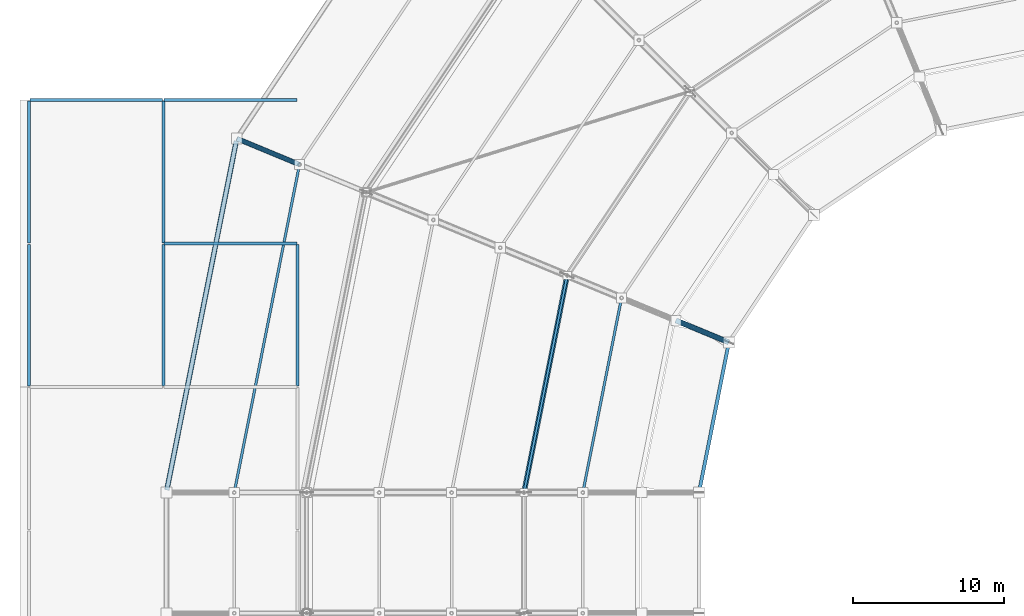
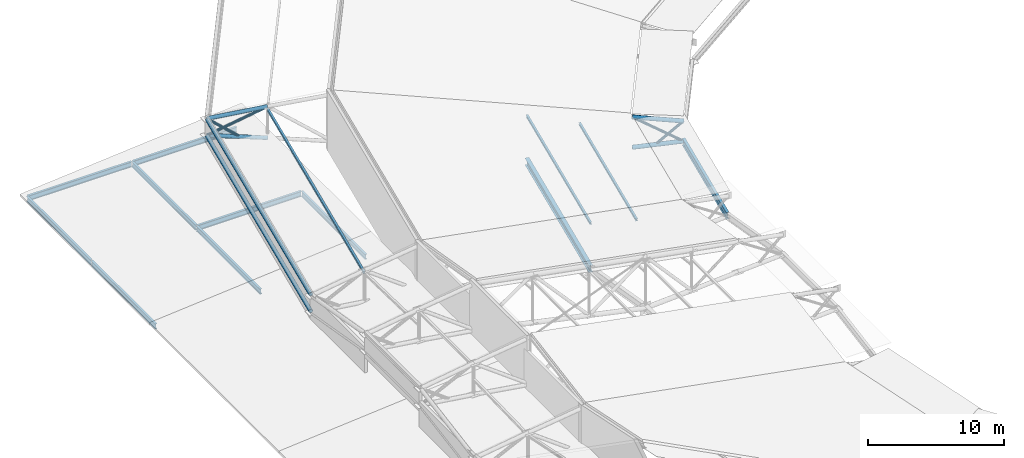
# One storey, part 43 of 146: 13 members, 10 beams.
"""IFC4 building model written with IfcOpenShell, lengths in metres."""

from ifc_helpers import new_model, si_unit, direction, frame, origin, origin_2d, place, context, subcontext, project, spatial, hollow_circle, i_section, extrude, material, material_profile, profile_set, type_object, element, save


model = new_model("IFC4")

# Units and contexts
model_context = context("Model", 3, precision=1e-05, world=origin(), true_north=direction((0.0, 1.0)))
body_context = subcontext(model_context, "Body", "Model", "MODEL_VIEW")
ifc_project = project(units=[si_unit("LENGTHUNIT", "METRE"), si_unit("AREAUNIT", "SQUARE_METRE"), si_unit("VOLUMEUNIT", "CUBIC_METRE"), si_unit("PLANEANGLEUNIT", "RADIAN"), si_unit("MASSUNIT", "GRAM", prefix="KILO")], contexts=[model_context])

# Site, building, storey
site_placement = place(None, origin())
site = spatial("IfcSite", under=ifc_project, at=site_placement, CompositionType="ELEMENT")
building_placement = place(site_placement, origin())
building = spatial("IfcBuilding", under=site, at=building_placement, Name="Candeia Ridge Stadium", CompositionType="ELEMENT")
storey_placement = place(building_placement, frame((0.0, 0.0, 31.800048828125)))
storey = spatial("IfcBuildingStorey", under=building, at=storey_placement, Name="RF", CompositionType="ELEMENT", Elevation=31.800048828125)

# Beams
ifc_material = material(Name="Steel ASTM A572 Grade 50", Category="steel")
ifc_material_profile_1 = material_profile(ifc_material, i_section(OverallWidth=0.194091796875, OverallDepth=0.468994140625, WebThickness=0.0126953125, FlangeThickness=0.0205078125, FilletRadius=0.012939453125, at=origin_2d()), Name="W460x106", Category="steel")
ifc_profile_set_1 = profile_set([ifc_material_profile_1], Name="Steel ASTM A572 Grade 50")
beam_type_1 = type_object("IfcBeamType", Name="Gondola Primary Girder W460x106", PredefinedType="BEAM", material=ifc_profile_set_1)
for number, where, z_axis, x_axis, name in (
    (1, (0.64990234375, 121.0, -0.58447265625), (1.0, 0.0, 0.0), (0.0, 1.0, 0.0), "Structural girder BM-RF-1443"),
    (2, (9.550048828125, 111.5, -0.58447265625), (1.0, 0.0, 0.0), (0.0, 1.0, 0.0), "Structural girder BM-RF-1450"),
    (3, (9.550048828125, 121.0, -0.58447265625), (1.0, 0.0, 0.0), (0.0, 1.0, 0.0), "Structural girder BM-RF-1451"),
):
    element("IfcBeam", number, at=place(storey_placement, frame(where, z_axis=z_axis, x_axis=x_axis)), inside=storey, type_object=beam_type_1, Name=name, PredefinedType="BEAM", context=body_context, shape_type="SweptSolid", body=[
        extrude(i_section(OverallWidth=0.194091796875, OverallDepth=0.468994140625, WebThickness=0.0126953125, FlangeThickness=0.0205078125, FilletRadius=0.012939453125, at=origin_2d()), origin(), (0.0, 0.0, 1.0), 8.800048828125),
    ])
ifc_material_profile_2 = material_profile(ifc_material, i_section(OverallWidth=0.18994140625, OverallDepth=0.45703125, WebThickness=0.009033203125, FlangeThickness=0.014404296875, FilletRadius=0.012939453125, at=origin_2d()), Name="W460x74", Category="steel")
ifc_profile_set_2 = profile_set([ifc_material_profile_2], Name="Steel ASTM A572 Grade 50")
beam_type_2 = type_object("IfcBeamType", Name="Pavilion Steel Girder W460x74", PredefinedType="BEAM", material=ifc_profile_set_2)
for number, where, z_axis, x_axis, name in (
    (4, (0.60009765625, 102.050048828125, -0.57861328125), (0.0, 1.0, 0.0), (-1.0, 0.0, 0.0), "Structural girder BM-RF-1425"),
    (5, (0.60009765625, 111.550048828125, -0.57861328125), (0.0, 1.0, 0.0), (-1.0, 0.0, 0.0), "Structural girder BM-RF-1426"),
    (6, (9.5, 102.050048828125, -0.57861328125), (0.0, 1.0, 0.0), (-1.0, 0.0, 0.0), "Structural girder BM-RF-1431"),
    (7, (9.5, 111.550048828125, -0.57861328125), (0.0, 1.0, 0.0), (-1.0, 0.0, 0.0), "Structural girder BM-RF-1432"),
    (8, (18.39990234375, 102.050048828125, -0.57861328125), (0.0, 1.0, 0.0), (-1.0, 0.0, 0.0), "Structural girder BM-RF-1438"),
):
    element("IfcBeam", number, at=place(storey_placement, frame(where, z_axis=z_axis, x_axis=x_axis)), inside=storey, type_object=beam_type_2, Name=name, PredefinedType="BEAM", context=body_context, shape_type="SweptSolid", body=[
        extrude(i_section(OverallWidth=0.18994140625, OverallDepth=0.45703125, WebThickness=0.009033203125, FlangeThickness=0.014404296875, FilletRadius=0.012939453125, at=origin_2d()), origin(), (0.0, 0.0, 1.0), 9.39990234375),
    ])
ifc_material_profile_3 = material_profile(ifc_material, i_section(OverallWidth=0.324951171875, OverallDepth=0.615966796875, WebThickness=0.013916015625, FlangeThickness=0.021484375, FilletRadius=0.014892578125, at=origin_2d()), Name="W610x174", Category="steel")
ifc_profile_set_3 = profile_set([ifc_material_profile_3], Name="Steel ASTM A572 Grade 50")
beam_type_3 = type_object("IfcBeamType", Name="Roof Compression Ring Beam W610x174", PredefinedType="BEAM", material=ifc_profile_set_3)
beam_1_placement = place(storey_placement, frame((36.25439453125, 109.349609375, -2.6640625), z_axis=(-0.195102419364, -0.980782874014, 0.0), x_axis=(0.980782874014, -0.195102419364, 0.0)))
element("IfcBeam", 9, at=beam_1_placement, inside=storey, type_object=beam_type_3, Name="Roof compression ring beam bay 11", PredefinedType="BEAM", context=body_context, shape_type="SweptSolid", body=[
    extrude(i_section(OverallWidth=0.324951171875, OverallDepth=0.615966796875, WebThickness=0.013916015625, FlangeThickness=0.021484375, FilletRadius=0.014892578125, at=origin_2d()), origin(), (0.0, 0.0, 1.0), 14.590576171875),
])
ifc_material_profile_4 = material_profile(ifc_material, i_section(OverallWidth=0.22998046875, OverallDepth=0.616943359375, WebThickness=0.01318359375, FlangeThickness=0.022216796875, FilletRadius=0.014892578125, at=origin_2d()), Name="W610x140", Category="steel")
ifc_profile_set_4 = profile_set([ifc_material_profile_4], Name="Steel ASTM A572 Grade 50")
beam_type_4 = type_object("IfcBeamType", Name="Roof Inner Tension Ring Beam W610x140", PredefinedType="BEAM", material=ifc_profile_set_4)
beam_2_placement = place(storey_placement, frame((46.971435546875, 104.91064453125, -1.9599609375), z_axis=(-0.195099101337, -0.980783534047, 0.0), x_axis=(0.980783534047, -0.195099101337, 0.0)))
element("IfcBeam", 10, at=beam_2_placement, inside=storey, type_object=beam_type_4, Name="Roof inner tension ring beam bay 11", PredefinedType="BEAM", context=body_context, shape_type="SweptSolid", body=[
    extrude(i_section(OverallWidth=0.22998046875, OverallDepth=0.616943359375, WebThickness=0.01318359375, FlangeThickness=0.022216796875, FilletRadius=0.014892578125, at=origin_2d()), origin(), (0.0, 0.0, 1.0), 10.064697265625),
])

# Members
ifc_material_profile_5 = material_profile(ifc_material, i_section(OverallWidth=0.1650390625, OverallDepth=0.200927734375, WebThickness=0.006103515625, FlangeThickness=0.01025390625, FilletRadius=0.010009765625, at=origin_2d()), Name="W200x35.9", Category="steel")
ifc_profile_set_5 = profile_set([ifc_material_profile_5], Name="Steel ASTM A572 Grade 50")
member_type_1 = type_object("IfcMemberType", Name="Roof Purlin W200x35.9", PredefinedType="PURLIN", material=ifc_profile_set_5)
member_1_placement = place(storey_placement, frame((39.85546875, 107.847412109375, 0.3544921875), z_axis=(-0.195083408815, -0.980786655499, 0.0), x_axis=(0.980786655499, -0.195083408815, 0.0)))
element("IfcMember", 11, at=member_1_placement, inside=storey, type_object=member_type_1, Name="Saddle roof steel purlin bay 11-1", PredefinedType="PURLIN", context=body_context, shape_type="SweptSolid", body=[
    extrude(i_section(OverallWidth=0.1650390625, OverallDepth=0.200927734375, WebThickness=0.006103515625, FlangeThickness=0.01025390625, FilletRadius=0.010009765625, at=origin_2d()), origin(), (0.0, 0.0, 1.0), 13.049072265625),
])
member_2_placement = place(storey_placement, frame((36.25244140625, 109.33984375, 1.416015625), z_axis=(-0.195101033486, -0.980783149699, 0.0), x_axis=(0.980783149699, -0.195101033486, 0.0)))
element("IfcMember", 12, at=member_2_placement, inside=storey, type_object=member_type_1, Name="Saddle roof steel purlin bay 11-2", PredefinedType="PURLIN", context=body_context, shape_type="SweptSolid", body=[
    extrude(i_section(OverallWidth=0.1650390625, OverallDepth=0.200927734375, WebThickness=0.006103515625, FlangeThickness=0.01025390625, FilletRadius=0.010009765625, at=origin_2d()), origin(), (0.0, 0.0, 1.0), 14.57080078125),
])
member_3_placement = place(storey_placement, frame((18.513916015625, 116.6875, 3.73828125), z_axis=(-0.195092429325, -0.980784861231, 0.0), x_axis=(0.980784861231, -0.195092429325, 0.0)))
element("IfcMember", 13, at=member_3_placement, inside=storey, type_object=member_type_1, Name="Saddle roof steel purlin bay 11-5", PredefinedType="PURLIN", context=body_context, shape_type="SweptSolid", body=[
    extrude(i_section(OverallWidth=0.1650390625, OverallDepth=0.200927734375, WebThickness=0.006103515625, FlangeThickness=0.01025390625, FilletRadius=0.010009765625, at=origin_2d()), origin(), (0.0, 0.0, 1.0), 22.062255859375),
])
ifc_material_profile_6 = material_profile(ifc_material, hollow_circle(Radius=0.161865234375, WallThickness=0.012451171875, at=origin_2d()), Name="CHS323x12", Category="steel")
ifc_profile_set_6 = profile_set([ifc_material_profile_6], Name="Steel ASTM A572 Grade 50")
member_type_2 = type_object("IfcMemberType", Name="Roof Truss Eaves Chord CHS323x12", PredefinedType="CHORD", material=ifc_profile_set_6)
member_4_placement = place(storey_placement, frame((18.523681640625, 116.736328125, 3.958251953125), z_axis=(-0.913584487427, 0.378438250885, -0.148821620067), x_axis=(-0.382699975578, -0.923872679915, 0.0)))
element("IfcMember", 14, at=member_4_placement, inside=storey, type_object=member_type_2, Name="Roof cantilever truss RT-11 top chord 8", PredefinedType="CHORD", context=body_context, shape_type="SweptSolid", body=[
    extrude(hollow_circle(Radius=0.161865234375, WallThickness=0.012451171875, at=origin_2d()), origin(), (0.0, 0.0, 1.0), 4.55078125),
])
member_5_placement = place(storey_placement, frame((18.523681640625, 116.736328125, 1.15185546875), z_axis=(-0.914973571928, 0.379013657665, 0.138463027474), x_axis=(-0.382699975578, -0.923872679915, 0.0)))
element("IfcMember", 15, at=member_5_placement, inside=storey, type_object=member_type_2, Name="Roof cantilever truss RT-11 bottom chord 8", PredefinedType="CHORD", context=body_context, shape_type="SweptSolid", body=[
    extrude(hollow_circle(Radius=0.161865234375, WallThickness=0.012451171875, at=origin_2d()), origin(), (0.0, 0.0, 1.0), 4.543701171875),
])
for number, where, z_axis, x_axis, name in (
    (16, (14.3349609375, 118.301513671875, 3.281005859375), (-0.195091392584, -0.980785067453, 0.0), (0.980785067453, -0.195091392584, 0.0), "Saddle roof outer eaves top ring chord bay 11"),
    (17, (14.3349609375, 118.301513671875, 1.781005859375), (-0.195091392584, -0.980785067453, 0.0), (0.980785067453, -0.195091392584, 0.0), "Saddle roof outer eaves bottom ring chord bay 11"),
):
    element("IfcMember", number, at=place(storey_placement, frame(where, z_axis=z_axis, x_axis=x_axis)), inside=storey, type_object=member_type_2, Name=name, PredefinedType="CHORD", context=body_context, shape_type="SweptSolid", body=[
        extrude(hollow_circle(Radius=0.161865234375, WallThickness=0.012451171875, at=origin_2d()), origin(), (0.0, 0.0, 1.0), 23.597900390625),
    ])
ifc_material_profile_7 = material_profile(ifc_material, hollow_circle(Radius=0.109619140625, WallThickness=0.010009765625, at=origin_2d()), Name="CHS219x10", Category="steel")
ifc_profile_set_7 = profile_set([ifc_material_profile_7], Name="Steel ASTM A572 Grade 50")
member_type_3 = type_object("IfcMemberType", Name="Roof Truss Inner Web Brace CHS219x10", PredefinedType="BRACE", material=ifc_profile_set_7)
member_6_placement = place(storey_placement, frame((46.979248046875, 104.94970703125, -1.9599609375), z_axis=(-0.771543444646, 0.319616432528, 0.550060041343), x_axis=(-0.382716826907, -0.923865699332, 0.0)))
element("IfcMember", 18, at=member_6_placement, inside=storey, type_object=member_type_3, Name="Roof cantilever truss RT-11 diagonal web 1", PredefinedType="BRACE", context=body_context, shape_type="SweptSolid", body=[
    extrude(hollow_circle(Radius=0.109619140625, WallThickness=0.010009765625, at=origin_2d()), origin(), (0.0, 0.0, 1.0), 4.55029296875),
])
member_7_placement = place(storey_placement, frame((18.523681640625, 116.736328125, 3.958251953125), z_axis=(-0.831646749952, 0.344496809804, -0.435529139472), x_axis=(-0.382699975578, -0.923872679915, 0.0)))
element("IfcMember", 19, at=member_7_placement, inside=storey, type_object=member_type_3, Name="Roof cantilever truss RT-11 diagonal web 8", PredefinedType="BRACE", context=body_context, shape_type="SweptSolid", body=[
    extrude(hollow_circle(Radius=0.109619140625, WallThickness=0.010009765625, at=origin_2d()), origin(), (0.0, 0.0, 1.0), 4.9990234375),
])
member_8_placement = place(storey_placement, frame((45.048095703125, 105.74951171875, -2.077880859375), z_axis=(0.680781125618, -0.281951829017, 0.676047502115), x_axis=(0.382640634603, 0.923897258763, 0.0)))
element("IfcMember", 20, at=member_8_placement, inside=storey, type_object=member_type_3, Name="Roof cantilever truss RT-11 vertical post 0", PredefinedType="BRACE", context=body_context, shape_type="SweptSolid", body=[
    extrude(hollow_circle(Radius=0.109619140625, WallThickness=0.010009765625, at=origin_2d()), origin(), (0.0, 0.0, 1.0), 2.836669921875),
])
member_9_placement = place(storey_placement, frame((16.65283203125, 117.511474609375, 1.43505859375), z_axis=(-0.740592396504, 0.306721963062, 0.597866657054), x_axis=(-0.382639293348, -0.923897814256, 0.0)))
element("IfcMember", 21, at=member_9_placement, inside=storey, type_object=member_type_3, Name="Roof cantilever truss RT-11 vertical post 8", PredefinedType="BRACE", context=body_context, shape_type="SweptSolid", body=[
    extrude(hollow_circle(Radius=0.109619140625, WallThickness=0.010009765625, at=origin_2d()), origin(), (0.0, 0.0, 1.0), 3.087646484375),
])
ifc_material_profile_8 = material_profile(ifc_material, hollow_circle(Radius=0.177734375, WallThickness=0.01416015625, at=origin_2d()), Name="CHS355x14", Category="steel")
ifc_profile_set_8 = profile_set([ifc_material_profile_8], Name="Steel ASTM A572 Grade 50")
member_type_4 = type_object("IfcMemberType", Name="Roof Truss Tip Chord CHS355x14", PredefinedType="CHORD", material=ifc_profile_set_8)
member_10_placement = place(storey_placement, frame((46.979248046875, 104.94970703125, -0.16015625), z_axis=(-0.908445727744, 0.376329012529, 0.181941842552), x_axis=(-0.382716826907, -0.923865699332, 0.0)))
element("IfcMember", 22, at=member_10_placement, inside=storey, type_object=member_type_4, Name="Roof cantilever truss RT-11 top chord 1", PredefinedType="CHORD", context=body_context, shape_type="SweptSolid", body=[
    extrude(hollow_circle(Radius=0.177734375, WallThickness=0.01416015625, at=origin_2d()), origin(), (0.0, 0.0, 1.0), 3.864501953125),
])
member_11_placement = place(storey_placement, frame((46.979248046875, 104.94970703125, -1.9599609375), z_axis=(-0.922399365398, 0.382109389407, -0.056318959862), x_axis=(-0.382716826907, -0.923865699332, 0.0)))
element("IfcMember", 23, at=member_11_placement, inside=storey, type_object=member_type_4, Name="Roof cantilever truss RT-11 bottom chord 1", PredefinedType="CHORD", context=body_context, shape_type="SweptSolid", body=[
    extrude(hollow_circle(Radius=0.177734375, WallThickness=0.01416015625, at=origin_2d()), origin(), (0.0, 0.0, 1.0), 3.80615234375),
])

save(model, "model.ifc")
